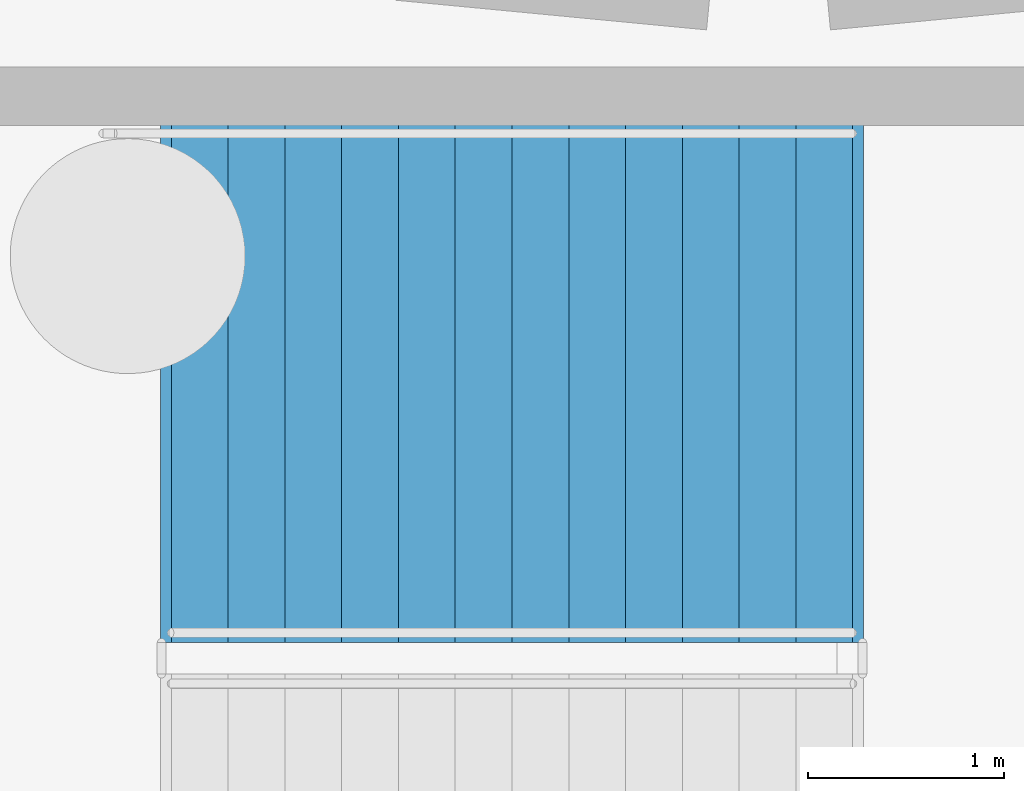
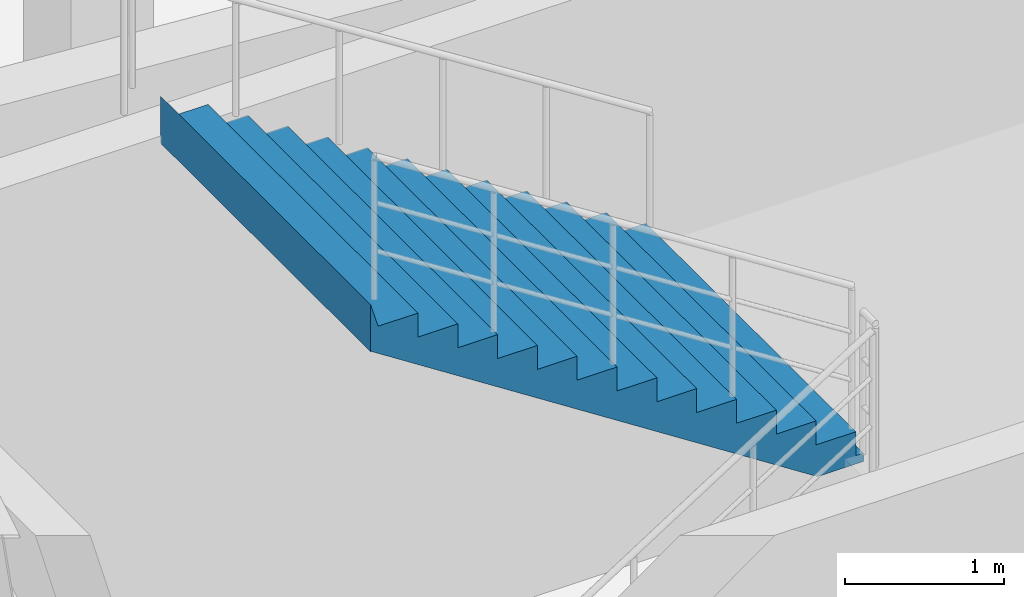
# One storey, part 47 of 68: 1 stair flight, 1 element without a shape of its own.
"""IFC4 building model written with IfcOpenShell, lengths in metres."""

from ifc_helpers import new_model, si_unit, direction, frame, origin, place, context, subcontext, project, spatial, polyline, outline, extrude, material, type_object, element, aggregate, save


model = new_model("IFC4")

# Units and contexts
model_context = context("Model", 3, precision=1e-05, world=origin(), true_north=direction((0.0, 1.0)))
body_context = subcontext(model_context, "Body", "Model", "MODEL_VIEW")
ifc_project = project(units=[si_unit("LENGTHUNIT", "METRE"), si_unit("AREAUNIT", "SQUARE_METRE"), si_unit("VOLUMEUNIT", "CUBIC_METRE"), si_unit("PLANEANGLEUNIT", "RADIAN"), si_unit("MASSUNIT", "GRAM", prefix="KILO")], contexts=[model_context])

# Site, building, storey
site_placement = place(None, origin())
site = spatial("IfcSite", under=ifc_project, at=site_placement, CompositionType="ELEMENT")
building_placement = place(site_placement, origin())
building = spatial("IfcBuilding", under=site, at=building_placement, Name="Cinderbank Siding Concert Hall", CompositionType="ELEMENT")
storey_placement = place(building_placement, frame((0.0, 0.0, -4.800048828125)))
storey = spatial("IfcBuildingStorey", under=building, at=storey_placement, Name="B1", CompositionType="ELEMENT", Elevation=-4.800048828125)

# Stair, stair flight
ifc_material = material(Name="Reinforced concrete AS 3600 N50 (50 MPa)", Category="concrete")
stair_type = type_object("IfcStairType", Name="STR-A Dogleg Exit Stair 2650mm", PredefinedType="HALF_TURN_STAIR", material=ifc_material)
stair_placement = place(storey_placement, origin())
stair = element("IfcStair", 1, at=stair_placement, inside=storey, type_object=stair_type, Name="B1 Fire-isolated Exit Stair ST-02", PredefinedType="HALF_TURN_STAIR")
stair_flight_type = type_object("IfcStairFlightType", Name="SFL-A Concrete Stair Flight 2650mm", PredefinedType="STRAIGHT", material=ifc_material)
stair_flight_placement = place(storey_placement, frame((122.429931640625, 27.8349609375, 2.400146484375), z_axis=(0.0, 0.0, 1.0), x_axis=(-1.0, 0.0, 0.0)))
stair_flight = element("IfcStairFlight", 2, at=stair_flight_placement, type_object=stair_flight_type, Name="ST-02 flight 2", NumberOfRisers=13, NumberOfTreads=12, PredefinedType="STRAIGHT", RiserHeight=0.184615385, TreadLength=0.29, context=body_context, shape_type="SweptSolid", body=[
    extrude(outline(polyline([(0.0, 0.0), (0.0, 0.1845703125), (0.2900390625, 0.1845703125), (0.2900390625, 0.369140625), (0.580078125, 0.369140625), (0.580078125, 0.553955078125), (0.8701171875, 0.553955078125), (0.8701171875, 0.738525390625), (1.159912109375, 0.738525390625), (1.159912109375, 0.923095703125), (1.449951171875, 0.923095703125), (1.449951171875, 1.107666015625), (1.739990234375, 1.107666015625), (1.739990234375, 1.292236328125), (2.030029296875, 1.292236328125), (2.030029296875, 1.476806640625), (2.320068359375, 1.476806640625), (2.320068359375, 1.66162109375), (2.610107421875, 1.66162109375), (2.610107421875, 1.84619140625), (2.89990234375, 1.84619140625), (2.89990234375, 2.03076171875), (3.18994140625, 2.03076171875), (3.18994140625, 2.21533203125), (3.47998046875, 2.21533203125), (3.534912109375, 2.39990234375), (3.534912109375, 2.03759765625), (3.53466796875, 2.037841796875), (3.53466796875, 2.0380859375), (3.53466796875, 2.038330078125), (3.53466796875, 2.03857421875), (3.53466796875, 2.038818359375), (3.53466796875, 2.0390625), (3.53466796875, 2.039306640625), (3.53466796875, 2.03955078125), (3.53466796875, 2.039794921875), (3.53466796875, 2.0400390625), (3.53466796875, 2.040283203125), (3.53466796875, 2.04052734375), (3.534423828125, 2.04052734375), (3.534423828125, 2.040283203125), (3.534423828125, 2.0400390625), (3.534423828125, 2.039794921875), (3.534423828125, 2.03955078125), (3.534423828125, 2.039306640625), (3.534423828125, 2.0390625), (3.534423828125, 2.038818359375), (3.534423828125, 2.03857421875), (3.534423828125, 2.038330078125), (3.534423828125, 2.0380859375), (3.534423828125, 2.037841796875), (3.534423828125, 2.03759765625), (3.5341796875, 2.037841796875), (3.5341796875, 2.0380859375), (3.5341796875, 2.038330078125), (3.5341796875, 2.03857421875), (3.5341796875, 2.038818359375), (3.5341796875, 2.0390625), (3.5341796875, 2.039306640625), (3.5341796875, 2.03955078125), (3.5341796875, 2.039794921875), (3.5341796875, 2.0400390625), (3.5341796875, 2.040283203125), (3.5341796875, 2.04052734375), (3.533935546875, 2.04052734375), (3.533935546875, 2.040283203125), (3.533935546875, 2.0400390625), (3.533935546875, 2.039794921875), (3.533935546875, 2.03955078125), (3.533935546875, 2.039306640625), (3.533935546875, 2.0390625), (3.533935546875, 2.038818359375), (3.533935546875, 2.03857421875), (3.533935546875, 2.038330078125), (3.533935546875, 2.0380859375), (3.533935546875, 2.037841796875), (3.533935546875, 2.03759765625), (3.53369140625, 2.037841796875), (3.53369140625, 2.0380859375), (3.53369140625, 2.038330078125), (3.53369140625, 2.03857421875), (3.53369140625, 2.038818359375), (3.53369140625, 2.0390625), (3.53369140625, 2.039306640625), (3.53369140625, 2.03955078125), (3.53369140625, 2.039794921875), (3.53369140625, 2.0400390625), (3.53369140625, 2.040283203125), (3.53369140625, 2.04052734375), (3.533447265625, 2.04052734375), (3.533447265625, 2.040283203125), (3.533447265625, 2.0400390625), (3.533447265625, 2.039794921875), (3.533447265625, 2.03955078125), (3.533447265625, 2.039306640625), (3.533447265625, 2.0390625), (3.533447265625, 2.038818359375), (3.533447265625, 2.03857421875), (3.533447265625, 2.038330078125), (3.533447265625, 2.0380859375), (3.533447265625, 2.037841796875), (3.533447265625, 2.03759765625), (3.533203125, 2.037841796875), (3.533203125, 2.0380859375), (3.533203125, 2.038330078125), (3.533203125, 2.03857421875), (3.533203125, 2.038818359375), (3.533203125, 2.0390625), (3.533203125, 2.039306640625), (3.533203125, 2.03955078125), (3.533203125, 2.039794921875), (3.533203125, 2.0400390625), (3.533203125, 2.040283203125), (3.533203125, 2.04052734375), (3.532958984375, 2.04052734375), (3.532958984375, 2.040283203125), (3.532958984375, 2.0400390625), (3.532958984375, 2.039794921875), (3.532958984375, 2.03955078125), (3.532958984375, 2.039306640625), (3.532958984375, 2.0390625), (3.532958984375, 2.038818359375), (3.532958984375, 2.03857421875), (3.532958984375, 2.038330078125), (3.532958984375, 2.0380859375), (3.532958984375, 2.037841796875), (3.532958984375, 2.03759765625), (3.53271484375, 2.037841796875), (3.53271484375, 2.0380859375), (3.53271484375, 2.038330078125), (3.53271484375, 2.03857421875), (3.53271484375, 2.038818359375), (3.53271484375, 2.0390625), (3.53271484375, 2.039306640625), (3.53271484375, 2.03955078125), (3.53271484375, 2.039794921875), (3.53271484375, 2.0400390625), (3.53271484375, 2.040283203125), (3.53271484375, 2.04052734375), (3.532470703125, 2.04052734375), (3.532470703125, 2.040283203125), (3.532470703125, 2.0400390625), (3.532470703125, 2.039794921875), (3.532470703125, 2.03955078125), (3.532470703125, 2.039306640625), (3.532470703125, 2.0390625), (3.532470703125, 2.038818359375), (3.532470703125, 2.03857421875), (3.532470703125, 2.038330078125), (3.532470703125, 2.0380859375), (3.532470703125, 2.037841796875), (3.532470703125, 2.03759765625), (3.5322265625, 2.037841796875), (3.5322265625, 2.0380859375), (3.5322265625, 2.038330078125), (3.5322265625, 2.03857421875), (3.5322265625, 2.038818359375), (3.5322265625, 2.0390625), (3.5322265625, 2.039306640625), (3.5322265625, 2.03955078125), (3.5322265625, 2.039794921875), (3.5322265625, 2.0400390625), (3.5322265625, 2.040283203125), (3.5322265625, 2.04052734375), (3.531982421875, 2.04052734375), (3.531982421875, 2.040283203125), (3.531982421875, 2.0400390625), (3.531982421875, 2.039794921875), (3.531982421875, 2.03955078125), (3.531982421875, 2.039306640625), (3.531982421875, 2.0390625), (3.531982421875, 2.038818359375), (3.531982421875, 2.03857421875), (3.531982421875, 2.038330078125), (3.531982421875, 2.0380859375), (3.531982421875, 2.037841796875), (3.531982421875, 2.03759765625), (3.53173828125, 2.037841796875), (3.53173828125, 2.0380859375), (3.53173828125, 2.038330078125), (3.53173828125, 2.03857421875), (3.53173828125, 2.038818359375), (3.53173828125, 2.0390625), (3.53173828125, 2.039306640625), (3.53173828125, 2.03955078125), (3.53173828125, 2.039794921875), (3.53173828125, 2.0400390625), (3.53173828125, 2.040283203125), (3.53173828125, 2.04052734375), (3.531494140625, 2.04052734375), (3.531494140625, 2.040283203125), (3.531494140625, 2.0400390625), (3.531494140625, 2.039794921875), (3.531494140625, 2.03955078125), (3.531494140625, 2.039306640625), (3.531494140625, 2.0390625), (3.531494140625, 2.038818359375), (3.531494140625, 2.03857421875), (3.531494140625, 2.038330078125), (3.531494140625, 2.0380859375), (3.531494140625, 2.037841796875), (3.531494140625, 2.03759765625), (3.53125, 2.037841796875), (3.53125, 2.0380859375), (3.53125, 2.038330078125), (3.53125, 2.03857421875), (3.53125, 2.038818359375), (3.53125, 2.0390625), (3.53125, 2.039306640625), (3.53125, 2.03955078125), (3.53125, 2.039794921875), (3.53125, 2.0400390625), (3.53125, 2.040283203125), (3.53125, 2.04052734375), (3.531005859375, 2.04052734375), (3.531005859375, 2.040283203125), (3.531005859375, 2.0400390625), (3.531005859375, 2.039794921875), (3.531005859375, 2.03955078125), (3.531005859375, 2.039306640625), (3.531005859375, 2.0390625), (3.531005859375, 2.038818359375), (3.531005859375, 2.03857421875), (3.531005859375, 2.038330078125), (3.531005859375, 2.0380859375), (3.531005859375, 2.037841796875), (3.531005859375, 2.03759765625), (3.53076171875, 2.037841796875), (3.53076171875, 2.0380859375), (3.53076171875, 2.038330078125), (3.53076171875, 2.03857421875), (3.53076171875, 2.038818359375), (3.53076171875, 2.0390625), (3.53076171875, 2.039306640625), (3.53076171875, 2.03955078125), (3.53076171875, 2.039794921875), (3.53076171875, 2.0400390625), (3.53076171875, 2.040283203125), (3.53076171875, 2.04052734375), (3.530517578125, 2.04052734375), (3.530517578125, 2.040283203125), (3.530517578125, 2.0400390625), (3.530517578125, 2.039794921875), (3.530517578125, 2.03955078125), (3.530517578125, 2.039306640625), (3.530517578125, 2.0390625), (3.530517578125, 2.038818359375), (3.530517578125, 2.03857421875), (3.530517578125, 2.038330078125), (3.530517578125, 2.0380859375), (3.530517578125, 2.037841796875), (3.530517578125, 2.03759765625), (3.5302734375, 2.037841796875), (3.5302734375, 2.0380859375), (3.5302734375, 2.038330078125), (3.5302734375, 2.03857421875), (3.5302734375, 2.038818359375), (3.5302734375, 2.0390625), (3.5302734375, 2.039306640625), (3.5302734375, 2.03955078125), (3.5302734375, 2.039794921875), (3.5302734375, 2.0400390625), (3.5302734375, 2.040283203125), (3.5302734375, 2.04052734375), (3.530029296875, 2.04052734375), (3.530029296875, 2.040283203125), (3.530029296875, 2.0400390625), (3.530029296875, 2.039794921875), (3.530029296875, 2.03955078125), (3.530029296875, 2.039306640625), (3.530029296875, 2.0390625), (3.530029296875, 2.038818359375), (3.530029296875, 2.03857421875), (3.530029296875, 2.038330078125), (3.530029296875, 2.0380859375), (3.530029296875, 2.037841796875), (3.530029296875, 2.03759765625), (3.52978515625, 2.037841796875), (3.52978515625, 2.0380859375), (3.52978515625, 2.038330078125), (3.52978515625, 2.03857421875), (3.52978515625, 2.038818359375), (3.52978515625, 2.0390625), (3.52978515625, 2.039306640625), (3.52978515625, 2.03955078125), (3.52978515625, 2.039794921875), (3.52978515625, 2.0400390625), (3.52978515625, 2.040283203125), (3.52978515625, 2.04052734375), (3.529541015625, 2.04052734375), (3.529541015625, 2.040283203125), (3.529541015625, 2.0400390625), (3.529541015625, 2.039794921875), (3.529541015625, 2.03955078125), (3.529541015625, 2.039306640625), (3.529541015625, 2.0390625), (3.529541015625, 2.038818359375), (3.529541015625, 2.03857421875), (3.529541015625, 2.038330078125), (3.529541015625, 2.0380859375), (3.529541015625, 2.037841796875), (3.529541015625, 2.03759765625), (3.529296875, 2.037841796875), (3.529296875, 2.0380859375), (3.529296875, 2.038330078125), (3.529296875, 2.03857421875), (3.529296875, 2.038818359375), (3.529296875, 2.0390625), (3.529296875, 2.039306640625), (3.529296875, 2.03955078125), (3.529296875, 2.039794921875), (3.529296875, 2.0400390625), (3.529296875, 2.040283203125), (3.529296875, 2.04052734375), (3.529052734375, 2.04052734375), (3.529052734375, 2.040283203125), (3.529052734375, 2.0400390625), (3.529052734375, 2.039794921875), (3.529052734375, 2.03955078125), (3.529052734375, 2.039306640625), (3.529052734375, 2.0390625), (3.529052734375, 2.038818359375), (3.529052734375, 2.03857421875), (3.529052734375, 2.038330078125), (3.529052734375, 2.0380859375), (3.529052734375, 2.037841796875), (3.529052734375, 2.03759765625), (3.52880859375, 2.037841796875), (3.52880859375, 2.0380859375), (3.52880859375, 2.038330078125), (3.52880859375, 2.03857421875), (3.52880859375, 2.038818359375), (3.52880859375, 2.0390625), (3.52880859375, 2.039306640625), (3.52880859375, 2.03955078125), (3.52880859375, 2.039794921875), (3.52880859375, 2.0400390625), (3.52880859375, 2.040283203125), (3.52880859375, 2.04052734375), (3.528564453125, 2.04052734375), (3.528564453125, 2.040283203125), (3.528564453125, 2.0400390625), (3.528564453125, 2.039794921875), (3.528564453125, 2.03955078125), (3.528564453125, 2.039306640625), (3.528564453125, 2.0390625), (3.528564453125, 2.038818359375), (3.528564453125, 2.03857421875), (3.528564453125, 2.038330078125), (3.528564453125, 2.0380859375), (3.528564453125, 2.037841796875), (3.528564453125, 2.03759765625), (0.279052734375, -0.06396484375), (-0.048583984375, -0.063720703125), (-0.048583984375, -0.0634765625), (-0.048583984375, -0.063232421875), (-0.048583984375, -0.06298828125), (-0.048583984375, -0.062744140625), (-0.048583984375, -0.0625), (-0.048583984375, -0.062255859375), (-0.048583984375, -0.06201171875), (-0.048583984375, -0.061767578125), (-0.048583984375, -0.0615234375), (-0.048583984375, -0.061279296875), (-0.048583984375, -0.06103515625), (-0.048828125, -0.06103515625), (-0.048828125, -0.061279296875), (-0.048828125, -0.0615234375), (-0.048828125, -0.061767578125), (-0.048828125, -0.06201171875), (-0.048828125, -0.062255859375), (-0.048828125, -0.0625), (-0.048828125, -0.062744140625), (-0.048828125, -0.06298828125), (-0.048828125, -0.063232421875), (-0.048828125, -0.0634765625), (-0.048828125, -0.063720703125), (-0.048828125, -0.06396484375), (-0.049072265625, -0.063720703125), (-0.049072265625, -0.0634765625), (-0.049072265625, -0.063232421875), (-0.049072265625, -0.06298828125), (-0.049072265625, -0.062744140625), (-0.049072265625, -0.0625), (-0.049072265625, -0.062255859375), (-0.049072265625, -0.06201171875), (-0.049072265625, -0.061767578125), (-0.049072265625, -0.0615234375), (-0.049072265625, -0.061279296875), (-0.049072265625, -0.06103515625), (-0.04931640625, -0.06103515625), (-0.04931640625, -0.061279296875), (-0.04931640625, -0.0615234375), (-0.04931640625, -0.061767578125), (-0.04931640625, -0.06201171875), (-0.04931640625, -0.062255859375), (-0.04931640625, -0.0625), (-0.04931640625, -0.062744140625), (-0.04931640625, -0.06298828125), (-0.04931640625, -0.063232421875), (-0.04931640625, -0.0634765625), (-0.04931640625, -0.063720703125), (-0.04931640625, -0.06396484375), (-0.049560546875, -0.063720703125), (-0.049560546875, -0.0634765625), (-0.049560546875, -0.063232421875), (-0.049560546875, -0.06298828125), (-0.049560546875, -0.062744140625), (-0.049560546875, -0.0625), (-0.049560546875, -0.062255859375), (-0.049560546875, -0.06201171875), (-0.049560546875, -0.061767578125), (-0.049560546875, -0.0615234375), (-0.049560546875, -0.061279296875), (-0.049560546875, -0.06103515625), (-0.0498046875, -0.06103515625), (-0.0498046875, -0.061279296875), (-0.0498046875, -0.0615234375), (-0.0498046875, -0.061767578125), (-0.0498046875, -0.06201171875), (-0.0498046875, -0.062255859375), (-0.0498046875, -0.0625), (-0.0498046875, -0.062744140625), (-0.0498046875, -0.06298828125), (-0.0498046875, -0.063232421875), (-0.0498046875, -0.0634765625), (-0.0498046875, -0.063720703125), (-0.0498046875, -0.06396484375), (-0.050048828125, -0.063720703125), (-0.050048828125, -0.0634765625), (-0.050048828125, -0.063232421875), (-0.050048828125, -0.06298828125), (-0.050048828125, -0.062744140625), (-0.050048828125, -0.0625), (-0.050048828125, -0.062255859375), (-0.050048828125, -0.06201171875), (-0.050048828125, -0.061767578125), (-0.050048828125, -0.0615234375), (-0.050048828125, -0.061279296875), (-0.050048828125, -0.06103515625), (-0.05029296875, -0.06103515625), (-0.05029296875, -0.061279296875), (-0.05029296875, -0.0615234375), (-0.05029296875, -0.061767578125), (-0.05029296875, -0.06201171875), (-0.05029296875, -0.062255859375), (-0.05029296875, -0.0625), (-0.05029296875, -0.062744140625), (-0.05029296875, -0.06298828125), (-0.05029296875, -0.063232421875), (-0.05029296875, -0.0634765625), (-0.05029296875, -0.063720703125), (-0.05029296875, -0.06396484375), (-0.050537109375, -0.063720703125), (-0.050537109375, -0.0634765625), (-0.050537109375, -0.063232421875), (-0.050537109375, -0.06298828125), (-0.050537109375, -0.062744140625), (-0.050537109375, -0.0625), (-0.050537109375, -0.062255859375), (-0.050537109375, -0.06201171875), (-0.050537109375, -0.061767578125), (-0.050537109375, -0.0615234375), (-0.050537109375, -0.061279296875), (-0.050537109375, -0.06103515625), (-0.05078125, -0.06103515625), (-0.05078125, -0.061279296875), (-0.05078125, -0.0615234375), (-0.05078125, -0.061767578125), (-0.05078125, -0.06201171875), (-0.05078125, -0.062255859375), (-0.05078125, -0.0625), (-0.05078125, -0.062744140625), (-0.05078125, -0.06298828125), (-0.05078125, -0.063232421875), (-0.05078125, -0.0634765625), (-0.05078125, -0.063720703125), (-0.05078125, -0.06396484375), (-0.051025390625, -0.063720703125), (-0.051025390625, -0.0634765625), (-0.051025390625, -0.063232421875), (-0.051025390625, -0.06298828125), (-0.051025390625, -0.062744140625), (-0.051025390625, -0.0625), (-0.051025390625, -0.062255859375), (-0.051025390625, -0.06201171875), (-0.051025390625, -0.061767578125), (-0.051025390625, -0.0615234375), (-0.051025390625, -0.061279296875), (-0.051025390625, -0.06103515625), (-0.05126953125, -0.06103515625), (-0.05126953125, -0.061279296875), (-0.05126953125, -0.0615234375), (-0.05126953125, -0.061767578125), (-0.05126953125, -0.06201171875), (-0.05126953125, -0.062255859375), (-0.05126953125, -0.0625), (-0.05126953125, -0.062744140625), (-0.05126953125, -0.06298828125), (-0.05126953125, -0.063232421875), (-0.05126953125, -0.0634765625), (-0.05126953125, -0.063720703125), (-0.05126953125, -0.06396484375), (-0.051513671875, -0.063720703125), (-0.051513671875, -0.0634765625), (-0.051513671875, -0.063232421875), (-0.051513671875, -0.06298828125), (-0.051513671875, -0.062744140625), (-0.051513671875, -0.0625), (-0.051513671875, -0.062255859375), (-0.051513671875, -0.06201171875), (-0.051513671875, -0.061767578125), (-0.051513671875, -0.0615234375), (-0.051513671875, -0.061279296875), (-0.051513671875, -0.06103515625), (-0.0517578125, -0.06103515625), (-0.0517578125, -0.061279296875), (-0.0517578125, -0.0615234375), (-0.0517578125, -0.061767578125), (-0.0517578125, -0.06201171875), (-0.0517578125, -0.062255859375), (-0.0517578125, -0.0625), (-0.0517578125, -0.062744140625), (-0.0517578125, -0.06298828125), (-0.0517578125, -0.063232421875), (-0.0517578125, -0.0634765625), (-0.0517578125, -0.063720703125), (-0.0517578125, -0.06396484375), (-0.052001953125, -0.063720703125), (-0.052001953125, -0.0634765625), (-0.052001953125, -0.063232421875), (-0.052001953125, -0.06298828125), (-0.052001953125, -0.062744140625), (-0.052001953125, -0.0625), (-0.052001953125, -0.062255859375), (-0.052001953125, -0.06201171875), (-0.052001953125, -0.061767578125), (-0.052001953125, -0.0615234375), (-0.052001953125, -0.061279296875), (-0.052001953125, -0.06103515625), (-0.05224609375, -0.06103515625), (-0.05224609375, -0.061279296875), (-0.05224609375, -0.0615234375), (-0.05224609375, -0.061767578125), (-0.05224609375, -0.06201171875), (-0.05224609375, -0.062255859375), (-0.05224609375, -0.0625), (-0.05224609375, -0.062744140625), (-0.05224609375, -0.06298828125), (-0.05224609375, -0.063232421875), (-0.05224609375, -0.0634765625), (-0.05224609375, -0.063720703125), (-0.05224609375, -0.06396484375), (-0.052490234375, -0.063720703125), (-0.052490234375, -0.0634765625), (-0.052490234375, -0.063232421875), (-0.052490234375, -0.06298828125), (-0.052490234375, -0.062744140625), (-0.052490234375, -0.0625), (-0.052490234375, -0.062255859375), (-0.052490234375, -0.06201171875), (-0.052490234375, -0.061767578125), (-0.052490234375, -0.0615234375), (-0.052490234375, -0.061279296875), (-0.052490234375, -0.06103515625), (-0.052734375, -0.06103515625), (-0.052734375, -0.061279296875), (-0.052734375, -0.0615234375), (-0.052734375, -0.061767578125), (-0.052734375, -0.06201171875), (-0.052734375, -0.062255859375), (-0.052734375, -0.0625), (-0.052734375, -0.062744140625), (-0.052734375, -0.06298828125), (-0.052734375, -0.063232421875), (-0.052734375, -0.0634765625), (-0.052734375, -0.063720703125), (-0.052734375, -0.06396484375), (-0.052978515625, -0.063720703125), (-0.052978515625, -0.0634765625), (-0.052978515625, -0.063232421875), (-0.052978515625, -0.06298828125), (-0.052978515625, -0.062744140625), (-0.052978515625, -0.0625), (-0.052978515625, -0.062255859375), (-0.052978515625, -0.06201171875), (-0.052978515625, -0.061767578125), (-0.052978515625, -0.0615234375), (-0.052978515625, -0.061279296875), (-0.052978515625, -0.06103515625), (-0.05322265625, -0.06103515625), (-0.05322265625, -0.061279296875), (-0.05322265625, -0.0615234375), (-0.05322265625, -0.061767578125), (-0.05322265625, -0.06201171875), (-0.05322265625, -0.062255859375), (-0.05322265625, -0.0625), (-0.05322265625, -0.062744140625), (-0.05322265625, -0.06298828125), (-0.05322265625, -0.063232421875), (-0.05322265625, -0.0634765625), (-0.05322265625, -0.063720703125), (-0.05322265625, -0.06396484375), (-0.053466796875, -0.063720703125), (-0.053466796875, -0.0634765625), (-0.053466796875, -0.063232421875), (-0.053466796875, -0.06298828125), (-0.053466796875, -0.062744140625), (-0.053466796875, -0.0625), (-0.053466796875, -0.062255859375), (-0.053466796875, -0.06201171875), (-0.053466796875, -0.061767578125), (-0.053466796875, -0.0615234375), (-0.053466796875, -0.061279296875), (-0.053466796875, -0.06103515625), (-0.0537109375, -0.06103515625), (-0.0537109375, -0.061279296875), (-0.0537109375, -0.0615234375), (-0.0537109375, -0.061767578125), (-0.0537109375, -0.06201171875), (-0.0537109375, -0.062255859375), (-0.0537109375, -0.0625), (-0.0537109375, -0.062744140625), (-0.0537109375, -0.06298828125), (-0.0537109375, -0.063232421875), (-0.0537109375, -0.0634765625), (-0.0537109375, -0.063720703125), (-0.0537109375, -0.06396484375), (-0.053955078125, -0.063720703125), (-0.053955078125, -0.0634765625), (-0.053955078125, -0.063232421875), (-0.053955078125, -0.06298828125), (-0.053955078125, -0.062744140625), (-0.053955078125, -0.0625), (-0.053955078125, -0.062255859375), (-0.053955078125, -0.06201171875), (-0.053955078125, -0.061767578125), (-0.053955078125, -0.0615234375), (-0.053955078125, -0.061279296875), (-0.053955078125, -0.06103515625), (-0.05419921875, -0.06103515625), (-0.05419921875, -0.061279296875), (-0.05419921875, -0.0615234375), (-0.05419921875, -0.061767578125), (-0.05419921875, -0.06201171875), (-0.05419921875, -0.062255859375), (-0.05419921875, -0.0625), (-0.05419921875, -0.062744140625), (-0.05419921875, -0.06298828125), (-0.05419921875, -0.063232421875), (-0.05419921875, -0.0634765625), (-0.05419921875, -0.063720703125), (-0.05419921875, -0.06396484375), (-0.054443359375, -0.063720703125), (-0.054443359375, -0.0634765625), (-0.054443359375, -0.063232421875), (-0.054443359375, -0.06298828125), (-0.054443359375, -0.062744140625), (-0.054443359375, -0.0625), (-0.054443359375, -0.062255859375), (-0.054443359375, -0.06201171875), (-0.054443359375, -0.061767578125), (-0.054443359375, -0.0615234375), (-0.054443359375, -0.061279296875), (-0.054443359375, -0.06103515625), (-0.0546875, -0.06103515625), (-0.0546875, -0.061279296875), (-0.0546875, -0.0615234375), (-0.0546875, -0.061767578125), (-0.0546875, -0.06201171875), (-0.0546875, -0.062255859375), (-0.0546875, -0.0625), (-0.0546875, -0.062744140625), (-0.0546875, -0.06298828125), (-0.0546875, -0.063232421875), (-0.0546875, -0.0634765625), (-0.0546875, -0.063720703125), (-0.0546875, -0.06396484375), (-0.054931640625, -0.06396484375), (-0.054931640625, 0.0), (0.0, 0.0)])), frame((0.0, 1.324951171875, 0.0), z_axis=(0.0, -1.0, 0.0), x_axis=(1.0, 0.0, 0.0)), (0.0, 0.0, 1.0), 2.64990234375),
])
aggregate(stair, [stair_flight])

save(model, "model.ifc")
